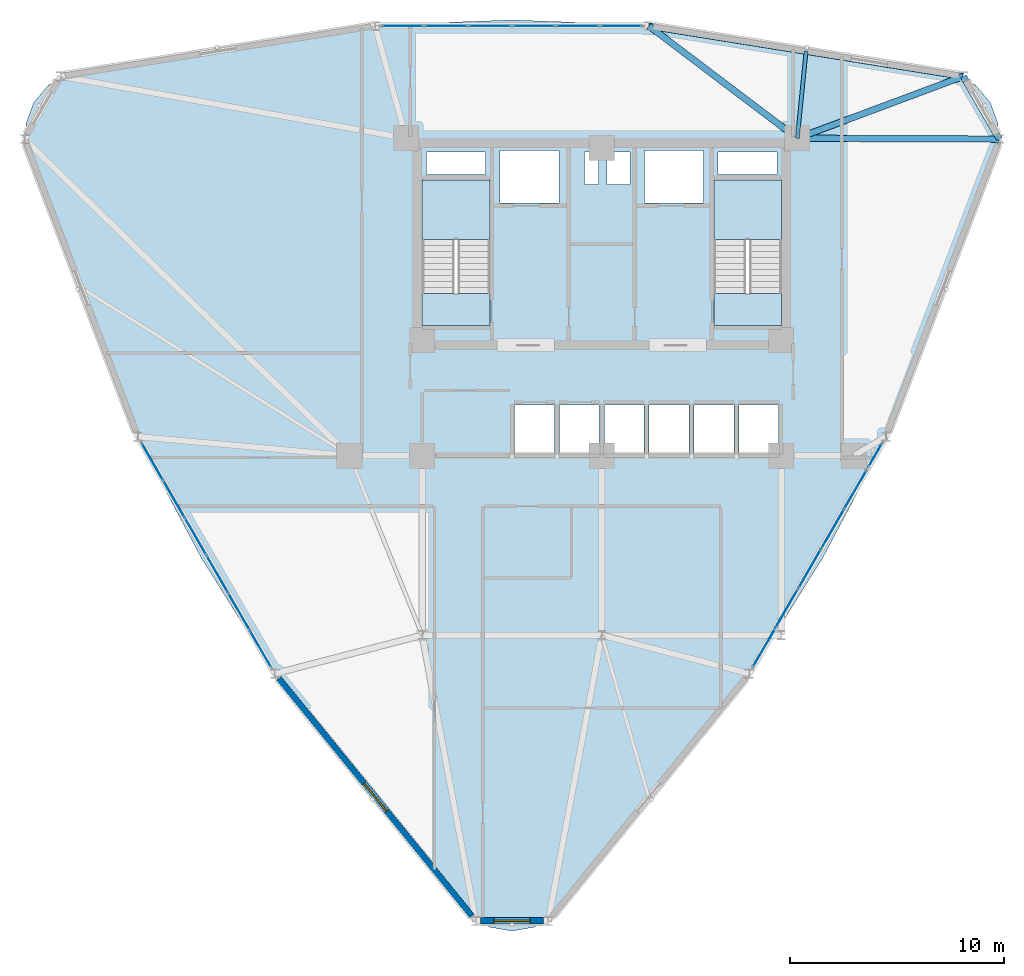
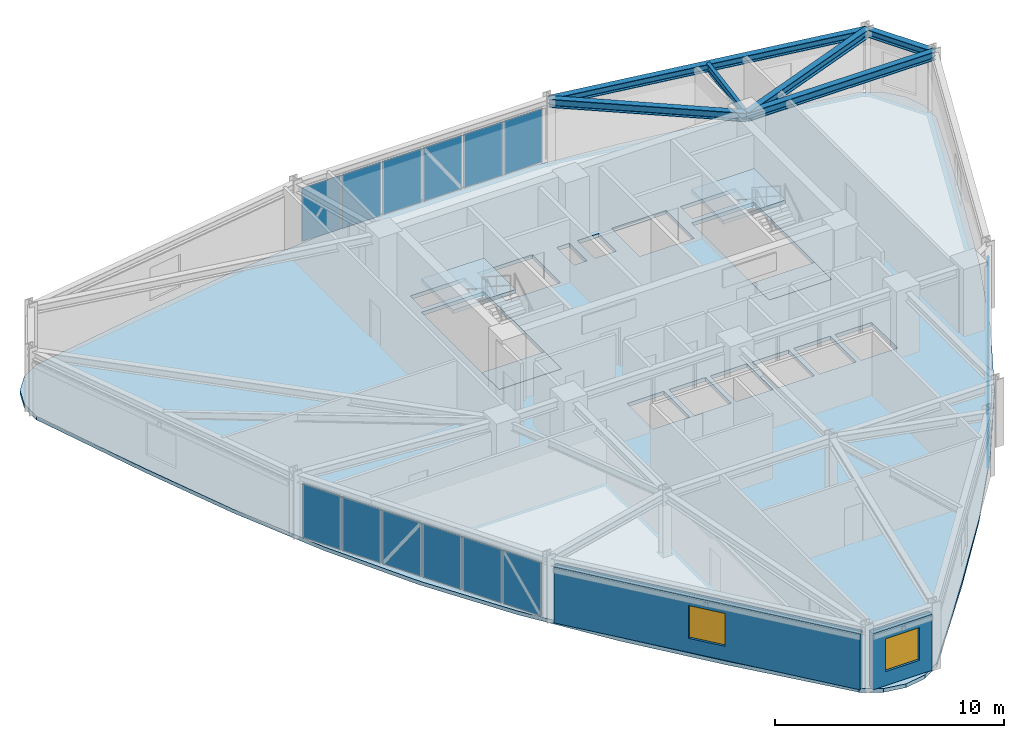
# One storey, part 9 of 15: 18 plates, 6 beams, 5 slabs, 2 walls, 2 windows, 2 openings, 6 elements without a shape of their own.
"""IFC4 building model written with IfcOpenShell, lengths in metres."""

from ifc_helpers import new_model, si_unit, derived_unit, direction, frame, frame_2d, origin, origin_2d, place, context, subcontext, project, spatial, polyline, rectangle, i_section, outline, extrude, source, transform, mapped, material, layer, layer_set, material_profile, profile_set, type_object, element, fill, aggregate, save


model = new_model("IFC4")

# Units and contexts
model_context = context("Model", 3, precision=1e-05, world=origin(), true_north=direction((0.0, 1.0)))
body_context = subcontext(model_context, "Body", "Model", "MODEL_VIEW")
ifc_project = project(units=[si_unit("LENGTHUNIT", "METRE"), si_unit("AREAUNIT", "SQUARE_METRE"), si_unit("VOLUMEUNIT", "CUBIC_METRE"), si_unit("PLANEANGLEUNIT", "RADIAN"), si_unit("MASSUNIT", "GRAM", prefix="KILO"), derived_unit("THERMALTRANSMITTANCEUNIT", [(si_unit("POWERUNIT", "WATT"), 1), (si_unit("LENGTHUNIT", "METRE"), -2), (si_unit("THERMODYNAMICTEMPERATUREUNIT", "KELVIN"), -1)])], contexts=[model_context])

# Site, building, storey
site_placement = place(None, origin())
site = spatial("IfcSite", under=ifc_project, at=site_placement, CompositionType="ELEMENT")
building_placement = place(site_placement, origin())
building = spatial("IfcBuilding", under=site, at=building_placement, Name="Korsvarv Bourse and Concert Hall", CompositionType="ELEMENT")
storey_placement = place(building_placement, frame((0.0, 0.0, 157.800048828125)))
storey = spatial("IfcBuildingStorey", under=building, at=storey_placement, Name="L40", CompositionType="ELEMENT", Elevation=157.800048828125)

# Beams
ifc_material_1 = material(Name="Steel S355", Category="steel")
ifc_material_profile_1 = material_profile(ifc_material_1, i_section(OverallWidth=0.300048828125, OverallDepth=0.39990234375, WebThickness=0.013427734375, FlangeThickness=0.02392578125, FilletRadius=0.02099609375, at=origin_2d()), Name="HEB 400")
ifc_profile_set_1 = profile_set([ifc_material_profile_1], Name="Steel S355")
beam_type_1 = type_object("IfcBeamType", Name="BM-HEB400", PredefinedType="SPANDREL", material=ifc_profile_set_1)
shared_shape_1 = source(origin(), body_context, "Body", "SweptSolid", [
    extrude(i_section(OverallWidth=0.300048828125, OverallDepth=0.39990234375, WebThickness=0.013427734375, FlangeThickness=0.02392578125, FilletRadius=0.02099609375, at=origin_2d()), origin(), (0.0, 0.0, 1.0), 3.391357421875),
])
beam_1_placement = place(storey_placement, frame((54.6142578125, 47.2138671875, 3.199951171875), z_axis=(-0.499971721724, 0.866041729639, 0.0), x_axis=(-0.866041729639, -0.499971721724, 0.0)))
element("IfcBeam", 1, at=beam_1_placement, inside=storey, type_object=beam_type_1, Name="L40 beam B-09", PredefinedType="SPANDREL", context=body_context, shape_type="MappedRepresentation", body=[
    mapped(shared_shape_1, transform((0.0, 0.0, 0.0), scale=1.0)),
])
shared_shape_2 = source(origin(), body_context, "Body", "SweptSolid", [
    extrude(i_section(OverallWidth=0.300048828125, OverallDepth=0.39990234375, WebThickness=0.013427734375, FlangeThickness=0.02392578125, FilletRadius=0.02099609375, at=origin_2d()), origin(), (0.0, 0.0, 1.0), 14.90478515625),
])
beam_2_placement = place(storey_placement, frame((52.918701171875, 50.15087890625, 3.199951171875), z_axis=(-0.987420487458, 0.158116352567, 0.0), x_axis=(-0.158116352567, -0.987420487458, 0.0)))
element("IfcBeam", 2, at=beam_2_placement, inside=storey, type_object=beam_type_1, Name="L40 beam B-09", PredefinedType="SPANDREL", context=body_context, shape_type="MappedRepresentation", body=[
    mapped(shared_shape_2, transform((0.0, 0.0, 0.0), scale=1.0)),
])
ifc_material_profile_2 = material_profile(ifc_material_1, i_section(OverallWidth=0.300048828125, OverallDepth=0.449951171875, WebThickness=0.013916015625, FlangeThickness=0.02587890625, FilletRadius=0.02099609375, at=origin_2d()), Name="HEB 450")
ifc_profile_set_2 = profile_set([ifc_material_profile_2], Name="Steel S355")
beam_type_2 = type_object("IfcBeamType", Name="BM-HEB450", PredefinedType="SPANDREL", material=ifc_profile_set_2)
shared_shape_3 = source(origin(), body_context, "Body", "SweptSolid", [
    extrude(i_section(OverallWidth=0.300048828125, OverallDepth=0.449951171875, WebThickness=0.013916015625, FlangeThickness=0.02587890625, FilletRadius=0.02099609375, at=origin_2d()), origin(), (0.0, 0.0, 1.0), 9.46435546875),
])
beam_3_placement = place(storey_placement, frame((54.6142578125, 47.2138671875, 3.175048828125), z_axis=(-0.999992712363, 0.003817750643, 0.0), x_axis=(-0.003817750643, -0.999992712363, 0.0)))
element("IfcBeam", 3, at=beam_3_placement, inside=storey, type_object=beam_type_2, Name="L40 beam B-08", PredefinedType="SPANDREL", context=body_context, shape_type="MappedRepresentation", body=[
    mapped(shared_shape_3, transform((0.0, 0.0, 0.0), scale=1.0)),
])
shared_shape_4 = source(origin(), body_context, "Body", "SweptSolid", [
    extrude(i_section(OverallWidth=0.300048828125, OverallDepth=0.449951171875, WebThickness=0.013916015625, FlangeThickness=0.02587890625, FilletRadius=0.02099609375, at=origin_2d()), origin(), (0.0, 0.0, 1.0), 8.292724609375),
])
beam_4_placement = place(storey_placement, frame((52.918701171875, 50.15087890625, 3.175048828125), z_axis=(-0.936820676534, -0.349809977014, 0.0), x_axis=(0.349809977014, -0.936820676534, 0.0)))
element("IfcBeam", 4, at=beam_4_placement, inside=storey, type_object=beam_type_2, Name="L40 beam B-08", PredefinedType="SPANDREL", context=body_context, shape_type="MappedRepresentation", body=[
    mapped(shared_shape_4, transform((0.0, 0.0, 0.0), scale=1.0)),
])
shared_shape_5 = source(origin(), body_context, "Body", "SweptSolid", [
    extrude(i_section(OverallWidth=0.300048828125, OverallDepth=0.449951171875, WebThickness=0.013916015625, FlangeThickness=0.02587890625, FilletRadius=0.02099609375, at=origin_2d()), origin(), (0.0, 0.0, 1.0), 8.71337890625),
])
beam_5_placement = place(storey_placement, frame((38.201416015625, 52.507568359375, 3.175048828125), z_axis=(0.797447559771, -0.603388257604, 0.0), x_axis=(0.603388257604, 0.797447559771, 0.0)))
element("IfcBeam", 5, at=beam_5_placement, inside=storey, type_object=beam_type_2, Name="L40 beam B-08", PredefinedType="SPANDREL", context=body_context, shape_type="MappedRepresentation", body=[
    mapped(shared_shape_5, transform((0.0, 0.0, 0.0), scale=1.0)),
])
ifc_material_profile_3 = material_profile(ifc_material_1, i_section(OverallWidth=0.179931640625, OverallDepth=0.39990234375, WebThickness=0.008544921875, FlangeThickness=0.013427734375, FilletRadius=0.02099609375, at=origin_2d()), Name="IPE 400")
ifc_profile_set_3 = profile_set([ifc_material_profile_3], Name="Steel S355")
beam_type_3 = type_object("IfcBeamType", Name="BM-IPE400", PredefinedType="JOIST", material=ifc_profile_set_3)
shared_shape_6 = source(origin(), body_context, "Body", "SweptSolid", [
    extrude(i_section(OverallWidth=0.179931640625, OverallDepth=0.39990234375, WebThickness=0.008544921875, FlangeThickness=0.013427734375, FilletRadius=0.02099609375, at=origin_2d()), origin(), (0.0, 0.0, 1.0), 4.099609375),
])
beam_6_placement = place(storey_placement, frame((45.56005859375, 51.3291015625, 3.199951171875), z_axis=(-0.100046151544, -0.994982797621, 0.0), x_axis=(0.994982797621, -0.100046151544, 0.0)))
element("IfcBeam", 6, at=beam_6_placement, inside=storey, type_object=beam_type_3, Name="L40 beam J-05", PredefinedType="JOIST", context=body_context, shape_type="MappedRepresentation", body=[
    mapped(shared_shape_6, transform((0.0, 0.0, 0.0), scale=1.0)),
])

# Slabs
ifc_material_2 = material(Name="Precast concrete C45/55", Category="concrete")
ifc_layer_1 = layer(ifc_material_2, 0.199951171875)
ifc_layer_set_1 = layer_set([ifc_layer_1], Name="Precast concrete C45/55")
slab_type_1 = type_object("IfcSlabType", Name="SLB-FLND-T", PredefinedType="LANDING", material=ifc_layer_set_1)
slab_1_placement = place(storey_placement, frame((0.0, 0.0, -0.199951171875)))
element("IfcSlab", 7, at=slab_1_placement, inside=storey, type_object=slab_type_1, Name="L40 Stair ST-T1 Floor Landing Slab", PredefinedType="LANDING", context=body_context, shape_type="SweptSolid", body=[
    extrude(outline(polyline([(30.760009765625, 38.5), (30.760009765625, 40.0), (27.60009765625, 40.0), (27.60009765625, 38.5), (30.760009765625, 38.5)])), origin(), (0.0, 0.0, 1.0), 0.199951171875),
])
slab_2_placement = place(storey_placement, frame((0.0, 0.0, -0.199951171875)))
element("IfcSlab", 8, at=slab_2_placement, inside=storey, type_object=slab_type_1, Name="L40 Stair ST-T2 Floor Landing Slab", PredefinedType="LANDING", context=body_context, shape_type="SweptSolid", body=[
    extrude(outline(polyline([(44.39990234375, 38.5), (44.39990234375, 40.0), (41.239990234375, 40.0), (41.239990234375, 38.5), (44.39990234375, 38.5)])), origin(), (0.0, 0.0, 1.0), 0.199951171875),
])

# Stair, slab
stair_type = type_object("IfcStairType", Name="STR-TYPE-04", PredefinedType="HALF_TURN_STAIR", material=ifc_material_2)
stair_1_placement = place(storey_placement, origin())
stair_1 = element("IfcStair", 9, at=stair_1_placement, inside=storey, type_object=stair_type, Name="L40 Tower West Exit Stair ST-T1", PredefinedType="HALF_TURN_STAIR")
ifc_layer_2 = layer(ifc_material_2, 0.199951171875)
ifc_layer_set_2 = layer_set([ifc_layer_2], Name="Precast concrete C45/55")
slab_type_2 = type_object("IfcSlabType", Name="SLB-ST-LND", PredefinedType="LANDING", material=ifc_layer_set_2)
slab_3_placement = place(storey_placement, frame((0.0, 0.0, 1.599853515625)))
slab_3 = element("IfcSlab", 10, at=slab_3_placement, type_object=slab_type_2, Name="ST-T1 landing 1", PredefinedType="LANDING", context=body_context, shape_type="SweptSolid", body=[
    extrude(outline(polyline([(30.760009765625, 42.52001953125), (30.760009765625, 45.300048828125), (27.60009765625, 45.300048828125), (27.60009765625, 42.52001953125), (30.760009765625, 42.52001953125)])), origin(), (0.0, 0.0, 1.0), 0.2001953125),
])
aggregate(stair_1, [slab_3])

stair_2_placement = place(storey_placement, origin())
stair_2 = element("IfcStair", 11, at=stair_2_placement, inside=storey, type_object=stair_type, Name="L40 Tower East Exit Stair ST-T2", PredefinedType="HALF_TURN_STAIR")
slab_4_placement = place(storey_placement, frame((0.0, 0.0, 1.599853515625)))
slab_4 = element("IfcSlab", 12, at=slab_4_placement, type_object=slab_type_2, Name="ST-T2 landing 1", PredefinedType="LANDING", context=body_context, shape_type="SweptSolid", body=[
    extrude(outline(polyline([(44.39990234375, 42.52001953125), (44.39990234375, 45.300048828125), (41.239990234375, 45.300048828125), (41.239990234375, 42.52001953125), (44.39990234375, 42.52001953125)])), origin(), (0.0, 0.0, 1.0), 0.2001953125),
])
aggregate(stair_2, [slab_4])

# Slab
ifc_material_3 = material(Name="Concrete C45/55", Category="concrete")
ifc_layer_3 = layer(ifc_material_3, 0.199951171875)
ifc_layer_set_3 = layer_set([ifc_layer_3], Name="Concrete C45/55")
slab_type_3 = type_object("IfcSlabType", Name="SLB-TW2", PredefinedType="FLOOR", material=ifc_layer_set_3)
slab_5_placement = place(storey_placement, frame((0.0, 0.0, -0.199951171875)))
element("IfcSlab", 13, at=slab_5_placement, inside=storey, type_object=slab_type_3, Name="L40 tower structural floor slab", PredefinedType="FLOOR", context=body_context, shape_type="SweptSolid", body=[
    extrude(outline(polyline([(54.127197265625, 45.72216796875), (52.434326171875, 41.0146484375), (50.63232421875, 36.395263671875), (48.622314453125, 31.916015625), (46.336669921875, 27.607421875), (43.748046875, 23.473388671875), (40.8740234375, 19.4931640625), (37.7744140625, 15.622802734375), (34.544189453125, 11.802978515625), (34.5419921875, 11.80029296875), (33.760986328125, 10.869873046875), (32.843505859375, 10.340087890625), (31.800048828125, 10.156005859375), (30.756591796875, 10.340087890625), (29.839111328125, 10.869873046875), (29.05810546875, 11.80029296875), (29.055908203125, 11.802978515625), (25.82568359375, 15.622802734375), (22.72607421875, 19.4931640625), (19.851806640625, 23.473388671875), (17.263427734375, 27.607421875), (14.977783203125, 31.916015625), (12.967529296875, 36.395263671875), (11.16552734375, 41.0146484375), (9.47265625, 45.72216796875), (9.471435546875, 45.725341796875), (9.05615234375, 46.86669921875), (9.05615234375, 47.92626953125), (9.41845703125, 48.921875), (10.099609375, 49.733642578125), (11.01708984375, 50.263427734375), (12.21337890625, 50.474365234375), (12.216796875, 50.474853515625), (17.139892578125, 51.362548828125), (22.04150390625, 52.11181640625), (26.925537109375, 52.610595703125), (31.800048828125, 52.785400390625), (36.67431640625, 52.610595703125), (41.558349609375, 52.11181640625), (46.4599609375, 51.362548828125), (51.38330078125, 50.474853515625), (51.38671875, 50.474365234375), (52.5830078125, 50.263427734375), (53.50048828125, 49.733642578125), (54.181396484375, 48.921875), (54.5439453125, 47.92626953125), (54.5439453125, 46.86669921875), (54.12841796875, 45.725341796875), (54.127197265625, 45.72216796875)]), holes=[polyline([(30.760009765625, 38.5), (30.760009765625, 45.300048828125), (27.60009765625, 45.300048828125), (27.60009765625, 38.5), (30.760009765625, 38.5)]), polyline([(44.39990234375, 38.5), (44.39990234375, 45.300048828125), (41.239990234375, 45.300048828125), (41.239990234375, 38.5), (44.39990234375, 38.5)]), polyline([(31.239990234375, 44.219970703125), (34.0, 44.219970703125), (34.0, 46.679931640625), (31.239990234375, 46.679931640625), (31.239990234375, 44.219970703125)]), polyline([(38.0, 44.219970703125), (40.760009765625, 44.219970703125), (40.760009765625, 46.679931640625), (38.0, 46.679931640625), (38.0, 44.219970703125)]), polyline([(31.919921875, 32.52001953125), (33.780029296875, 32.52001953125), (33.780029296875, 34.780029296875), (31.919921875, 34.780029296875), (31.919921875, 32.52001953125)]), polyline([(34.02001953125, 32.52001953125), (35.8798828125, 32.52001953125), (35.8798828125, 34.780029296875), (34.02001953125, 34.780029296875), (34.02001953125, 32.52001953125)]), polyline([(36.1201171875, 32.52001953125), (37.97998046875, 32.52001953125), (37.97998046875, 34.780029296875), (36.1201171875, 34.780029296875), (36.1201171875, 32.52001953125)]), polyline([(38.219970703125, 32.52001953125), (40.080078125, 32.52001953125), (40.080078125, 34.780029296875), (38.219970703125, 34.780029296875), (38.219970703125, 32.52001953125)]), polyline([(40.320068359375, 32.52001953125), (42.179931640625, 32.52001953125), (42.179931640625, 34.780029296875), (40.320068359375, 34.780029296875), (40.320068359375, 32.52001953125)]), polyline([(42.419921875, 32.52001953125), (44.280029296875, 32.52001953125), (44.280029296875, 34.780029296875), (42.419921875, 34.780029296875), (42.419921875, 32.52001953125)]), polyline([(27.800048828125, 45.56005859375), (30.56005859375, 45.56005859375), (30.56005859375, 46.6201171875), (27.800048828125, 46.6201171875), (27.800048828125, 45.56005859375)]), polyline([(41.43994140625, 45.56005859375), (44.199951171875, 45.56005859375), (44.199951171875, 46.6201171875), (41.43994140625, 46.6201171875), (41.43994140625, 45.56005859375)]), polyline([(35.199951171875, 45.080078125), (35.840087890625, 45.080078125), (35.840087890625, 46.6201171875), (35.199951171875, 46.6201171875), (35.199951171875, 45.080078125)]), polyline([(36.239990234375, 45.080078125), (37.320068359375, 45.080078125), (37.320068359375, 46.6201171875), (36.239990234375, 46.6201171875), (36.239990234375, 45.080078125)])]), origin(), (0.0, 0.0, 1.0), 0.199951171875),
])

# Curtain wall, plates
ifc_material_4 = material(Name="Anodised aluminium and triple low-E glazing", Category="glass")
ifc_layer_4 = layer(ifc_material_4, 0.2099609375)
ifc_layer_set_4 = layer_set([ifc_layer_4], Name="Anodised aluminium and triple low-E glazing")
curtain_wall_type = type_object("IfcCurtainWallType", Name="CW-SYS-2", PredefinedType="NOTDEFINED", material=ifc_layer_set_4)
curtain_wall_1_placement = place(storey_placement, origin())
curtain_wall_1 = element("IfcCurtainWall", 14, at=curtain_wall_1_placement, inside=storey, type_object=curtain_wall_type, Name="L40 CW2 curtain wall CW-L40-F03", PredefinedType="NOTDEFINED")
ifc_material_5 = material(Name="Tempered triple insulated low-E architectural glass", Category="glass")
ifc_layer_5 = layer(ifc_material_5, 0.0380859375)
ifc_layer_set_5 = layer_set([ifc_layer_5], Name="Tempered triple insulated low-E architectural glass")
plate_type_1 = type_object("IfcPlateType", Name="CWP-VIS2", PredefinedType="CURTAIN_PANEL", material=ifc_layer_set_5)
shared_shape_7 = source(origin(), body_context, "Body", "SweptSolid", [
    extrude(rectangle(XDim=1.943603515625, YDim=0.0380859375, at=origin_2d()), origin(), (0.0, 0.0, 1.0), 2.8701171875),
])
plate_1_placement = place(storey_placement, frame((36.90380859375, 52.507568359375, 0.06494140625), z_axis=(0.0, 0.0, 1.0), x_axis=(-1.0, 0.0, 0.0)))
plate_1 = element("IfcPlate", 15, at=plate_1_placement, type_object=plate_type_1, Name="CW2 faceted panel 1.1", PredefinedType="CURTAIN_PANEL", context=body_context, shape_type="MappedRepresentation", body=[
    mapped(shared_shape_7, transform((0.0, 0.0, 0.0), scale=1.0)),
])
shared_shape_8 = source(origin(), body_context, "Body", "SweptSolid", [
    extrude(rectangle(XDim=1.978515625, YDim=0.0380859375, at=origin_2d()), origin(), (0.0, 0.0, 1.0), 2.8701171875),
])
plate_2_placement = place(storey_placement, frame((34.872802734375, 52.507568359375, 0.06494140625), z_axis=(0.0, 0.0, 1.0), x_axis=(-1.0, 0.0, 0.0)))
plate_2 = element("IfcPlate", 16, at=plate_2_placement, type_object=plate_type_1, Name="CW2 faceted panel 2.1", PredefinedType="CURTAIN_PANEL", context=body_context, shape_type="MappedRepresentation", body=[
    mapped(shared_shape_8, transform((0.0, 0.0, 0.0), scale=1.0)),
])
plate_3_placement = place(storey_placement, frame((30.775634765625, 52.507568359375, 0.06494140625), z_axis=(0.0, 0.0, 1.0), x_axis=(-1.0, 0.0, 0.0)))
plate_3 = element("IfcPlate", 17, at=plate_3_placement, type_object=plate_type_1, Name="CW2 faceted panel 4.1", PredefinedType="CURTAIN_PANEL", context=body_context, shape_type="MappedRepresentation", body=[
    mapped(shared_shape_8, transform((0.0, 0.0, 0.0), scale=1.0)),
])
plate_4_placement = place(storey_placement, frame((28.727294921875, 52.507568359375, 0.06494140625), z_axis=(0.0, 0.0, 1.0), x_axis=(-1.0, 0.0, 0.0)))
plate_4 = element("IfcPlate", 18, at=plate_4_placement, type_object=plate_type_1, Name="CW2 faceted panel 5.1", PredefinedType="CURTAIN_PANEL", context=body_context, shape_type="MappedRepresentation", body=[
    mapped(shared_shape_8, transform((0.0, 0.0, 0.0), scale=1.0)),
])
ifc_material_6 = material(Name="Insulated spandrel glass", Category="glass")
ifc_layer_6 = layer(ifc_material_6, 0.031982421875)
ifc_layer_set_6 = layer_set([ifc_layer_6], Name="Insulated spandrel glass")
plate_type_2 = type_object("IfcPlateType", Name="CWP-SPD1", PredefinedType="CURTAIN_PANEL", material=ifc_layer_set_6)
shared_shape_9 = source(origin(), body_context, "Body", "SweptSolid", [
    extrude(rectangle(XDim=1.978515625, YDim=0.031982421875, at=origin_2d()), origin(), (0.0, 0.0, 1.0), 2.8701171875),
])
plate_5_placement = place(storey_placement, frame((32.82421875, 52.507568359375, 0.06494140625), z_axis=(0.0, 0.0, 1.0), x_axis=(-1.0, 0.0, 0.0)))
plate_5 = element("IfcPlate", 19, at=plate_5_placement, type_object=plate_type_2, Name="CW2 spandrel shadow-box panel 3.1", PredefinedType="CURTAIN_PANEL", context=body_context, shape_type="MappedRepresentation", body=[
    mapped(shared_shape_9, transform((0.0, 0.0, 0.0), scale=1.0)),
])
shared_shape_10 = source(origin(), body_context, "Body", "SweptSolid", [
    extrude(rectangle(XDim=1.943603515625, YDim=0.031982421875, at=origin_2d()), origin(), (0.0, 0.0, 1.0), 2.8701171875),
])
plate_6_placement = place(storey_placement, frame((26.6962890625, 52.507568359375, 0.06494140625), z_axis=(0.0, 0.0, 1.0), x_axis=(-1.0, 0.0, 0.0)))
plate_6 = element("IfcPlate", 20, at=plate_6_placement, type_object=plate_type_2, Name="CW2 spandrel shadow-box panel 6.1", PredefinedType="CURTAIN_PANEL", context=body_context, shape_type="MappedRepresentation", body=[
    mapped(shared_shape_10, transform((0.0, 0.0, 0.0), scale=1.0)),
])
aggregate(curtain_wall_1, [plate_1, plate_2, plate_5, plate_3, plate_4, plate_6])

curtain_wall_2_placement = place(storey_placement, origin())
curtain_wall_2 = element("IfcCurtainWall", 21, at=curtain_wall_2_placement, inside=storey, type_object=curtain_wall_type, Name="L40 CW2 curtain wall CW-L40-F07", PredefinedType="NOTDEFINED")
shared_shape_11 = source(origin(), body_context, "Body", "SweptSolid", [
    extrude(rectangle(XDim=1.92578125, YDim=0.0380859375, at=origin_2d()), origin(), (0.0, 0.0, 1.0), 2.8701171875),
])
plate_7_placement = place(storey_placement, frame((14.97412109375, 32.1279296875, 0.06494140625), z_axis=(0.0, 0.0, 1.0), x_axis=(0.500002343759, -0.86602405061, 0.0)))
plate_7 = element("IfcPlate", 22, at=plate_7_placement, type_object=plate_type_1, Name="CW2 faceted panel 1.1", PredefinedType="CURTAIN_PANEL", context=body_context, shape_type="MappedRepresentation", body=[
    mapped(shared_shape_11, transform((0.0, 0.0, 0.0), scale=1.0)),
])
shared_shape_12 = source(origin(), body_context, "Body", "SweptSolid", [
    extrude(rectangle(XDim=1.9609375, YDim=0.0380859375, at=origin_2d()), origin(), (0.0, 0.0, 1.0), 2.8701171875),
])
plate_8_placement = place(storey_placement, frame((15.98095703125, 30.384521484375, 0.06494140625), z_axis=(0.0, 0.0, 1.0), x_axis=(0.500002343759, -0.86602405061, 0.0)))
plate_8 = element("IfcPlate", 23, at=plate_8_placement, type_object=plate_type_1, Name="CW2 faceted panel 2.1", PredefinedType="CURTAIN_PANEL", context=body_context, shape_type="MappedRepresentation", body=[
    mapped(shared_shape_12, transform((0.0, 0.0, 0.0), scale=1.0)),
])
plate_9_placement = place(storey_placement, frame((18.01171875, 26.86669921875, 0.06494140625), z_axis=(0.0, 0.0, 1.0), x_axis=(0.500002343759, -0.86602405061, 0.0)))
plate_9 = element("IfcPlate", 24, at=plate_9_placement, type_object=plate_type_1, Name="CW2 faceted panel 4.1", PredefinedType="CURTAIN_PANEL", context=body_context, shape_type="MappedRepresentation", body=[
    mapped(shared_shape_12, transform((0.0, 0.0, 0.0), scale=1.0)),
])
plate_10_placement = place(storey_placement, frame((19.02734375, 25.10791015625, 0.06494140625), z_axis=(0.0, 0.0, 1.0), x_axis=(0.500002343759, -0.86602405061, 0.0)))
plate_10 = element("IfcPlate", 25, at=plate_10_placement, type_object=plate_type_1, Name="CW2 faceted panel 5.1", PredefinedType="CURTAIN_PANEL", context=body_context, shape_type="MappedRepresentation", body=[
    mapped(shared_shape_12, transform((0.0, 0.0, 0.0), scale=1.0)),
])
shared_shape_13 = source(origin(), body_context, "Body", "SweptSolid", [
    extrude(rectangle(XDim=1.9609375, YDim=0.031982421875, at=origin_2d()), origin(), (0.0, 0.0, 1.0), 2.8701171875),
])
plate_11_placement = place(storey_placement, frame((16.996337890625, 28.62548828125, 0.06494140625), z_axis=(0.0, 0.0, 1.0), x_axis=(0.500002343759, -0.86602405061, 0.0)))
plate_11 = element("IfcPlate", 26, at=plate_11_placement, type_object=plate_type_2, Name="CW2 spandrel shadow-box panel 3.1", PredefinedType="CURTAIN_PANEL", context=body_context, shape_type="MappedRepresentation", body=[
    mapped(shared_shape_13, transform((0.0, 0.0, 0.0), scale=1.0)),
])
shared_shape_14 = source(origin(), body_context, "Body", "SweptSolid", [
    extrude(rectangle(XDim=1.92578125, YDim=0.031982421875, at=origin_2d()), origin(), (0.0, 0.0, 1.0), 2.8701171875),
])
plate_12_placement = place(storey_placement, frame((20.033935546875, 23.3642578125, 0.06494140625), z_axis=(0.0, 0.0, 1.0), x_axis=(0.500002343759, -0.86602405061, 0.0)))
plate_12 = element("IfcPlate", 27, at=plate_12_placement, type_object=plate_type_2, Name="CW2 spandrel shadow-box panel 6.1", PredefinedType="CURTAIN_PANEL", context=body_context, shape_type="MappedRepresentation", body=[
    mapped(shared_shape_14, transform((0.0, 0.0, 0.0), scale=1.0)),
])
aggregate(curtain_wall_2, [plate_7, plate_8, plate_11, plate_9, plate_10, plate_12])

curtain_wall_3_placement = place(storey_placement, origin())
curtain_wall_3 = element("IfcCurtainWall", 28, at=curtain_wall_3_placement, inside=storey, type_object=curtain_wall_type, Name="L40 CW2 curtain wall CW-L40-F11-1", PredefinedType="NOTDEFINED")
shared_shape_15 = source(origin(), body_context, "Body", "SweptSolid", [
    extrude(rectangle(XDim=2.0380859375, YDim=0.0380859375, at=origin_2d()), origin(), (0.0, 0.0, 1.0), 2.8701171875),
])
plate_13_placement = place(storey_placement, frame((43.59423828125, 23.4130859375, 0.06494140625), z_axis=(0.0, 0.0, 1.0), x_axis=(0.499998182496, 0.866026453118, 0.0)))
plate_13 = element("IfcPlate", 29, at=plate_13_placement, type_object=plate_type_1, Name="CW2 faceted panel 1.1", PredefinedType="CURTAIN_PANEL", context=body_context, shape_type="MappedRepresentation", body=[
    mapped(shared_shape_15, transform((0.0, 0.0, 0.0), scale=1.0)),
])
plate_14_placement = place(storey_placement, frame((47.863037109375, 30.806884765625, 0.06494140625), z_axis=(0.0, 0.0, 1.0), x_axis=(0.499998182496, 0.866026453118, 0.0)))
plate_14 = element("IfcPlate", 30, at=plate_14_placement, type_object=plate_type_1, Name="CW2 faceted panel 5.1", PredefinedType="CURTAIN_PANEL", context=body_context, shape_type="MappedRepresentation", body=[
    mapped(shared_shape_15, transform((0.0, 0.0, 0.0), scale=1.0)),
])
shared_shape_16 = source(origin(), body_context, "Body", "SweptSolid", [
    extrude(rectangle(XDim=2.0732421875, YDim=0.0380859375, at=origin_2d()), origin(), (0.0, 0.0, 1.0), 2.8701171875),
])
plate_15_placement = place(storey_placement, frame((44.656982421875, 25.25390625, 0.06494140625), z_axis=(0.0, 0.0, 1.0), x_axis=(0.499998182496, 0.866026453118, 0.0)))
plate_15 = element("IfcPlate", 31, at=plate_15_placement, type_object=plate_type_1, Name="CW2 faceted panel 2.1", PredefinedType="CURTAIN_PANEL", context=body_context, shape_type="MappedRepresentation", body=[
    mapped(shared_shape_16, transform((0.0, 0.0, 0.0), scale=1.0)),
])
plate_16_placement = place(storey_placement, frame((46.800048828125, 28.9658203125, 0.06494140625), z_axis=(0.0, 0.0, 1.0), x_axis=(0.499998182496, 0.866026453118, 0.0)))
plate_16 = element("IfcPlate", 32, at=plate_16_placement, type_object=plate_type_1, Name="CW2 faceted panel 4.1", PredefinedType="CURTAIN_PANEL", context=body_context, shape_type="MappedRepresentation", body=[
    mapped(shared_shape_16, transform((0.0, 0.0, 0.0), scale=1.0)),
])
shared_shape_17 = source(origin(), body_context, "Body", "SweptSolid", [
    extrude(rectangle(XDim=2.0732421875, YDim=0.031982421875, at=origin_2d()), origin(), (0.0, 0.0, 1.0), 2.8701171875),
])
plate_17_placement = place(storey_placement, frame((45.728515625, 27.10986328125, 0.06494140625), z_axis=(0.0, 0.0, 1.0), x_axis=(0.499998182496, 0.866026453118, 0.0)))
plate_17 = element("IfcPlate", 33, at=plate_17_placement, type_object=plate_type_2, Name="CW2 spandrel shadow-box panel 3.1", PredefinedType="CURTAIN_PANEL", context=body_context, shape_type="MappedRepresentation", body=[
    mapped(shared_shape_17, transform((0.0, 0.0, 0.0), scale=1.0)),
])
aggregate(curtain_wall_3, [plate_13, plate_15, plate_17, plate_16, plate_14])

# Curtain wall, plate
curtain_wall_4_placement = place(storey_placement, origin())
curtain_wall_4 = element("IfcCurtainWall", 34, at=curtain_wall_4_placement, inside=storey, type_object=curtain_wall_type, Name="L40 CW2 curtain wall CW-L40-F11-2", PredefinedType="NOTDEFINED")
shared_shape_18 = source(origin(), body_context, "Body", "SweptSolid", [
    extrude(rectangle(XDim=1.24462890625, YDim=0.031982421875, at=origin_2d()), origin(), (0.0, 0.0, 1.0), 2.8701171875),
])
plate_18_placement = place(storey_placement, frame((48.796142578125, 32.423095703125, 0.06494140625), z_axis=(0.0, 0.0, 1.0), x_axis=(0.500030891693, 0.866007567723, 0.0)))
plate_18 = element("IfcPlate", 35, at=plate_18_placement, type_object=plate_type_2, Name="CW2 spandrel shadow-box panel 1.1", PredefinedType="CURTAIN_PANEL", context=body_context, shape_type="MappedRepresentation", body=[
    mapped(shared_shape_18, transform((0.0, 0.0, 0.0), scale=1.0)),
])
aggregate(curtain_wall_4, [plate_18])

# Wall, opening, window
ifc_material_7 = material(Name="Precast concrete C45/55 with terracotta rainscreen", Category="concrete")
ifc_layer_7 = layer(ifc_material_7, 0.300048828125)
ifc_layer_set_7 = layer_set([ifc_layer_7], Name="Precast concrete C45/55 with terracotta rainscreen")
wall_type_1 = type_object("IfcWallType", Name="WL-EXT-TC1", PredefinedType="SOLIDWALL", material=ifc_layer_set_7)
wall_1_placement = place(storey_placement, frame((30.315185546875, 10.63525390625, 0.0), z_axis=(0.0, 0.0, 1.0), x_axis=(1.0, 0.0, 0.0)))
wall_1 = element("IfcWall", 36, at=wall_1_placement, inside=storey, type_object=wall_type_1, Name="L40 terracotta exterior wall EW-L40-B09", PredefinedType="SOLIDWALL", context=body_context, shape_type="SweptSolid", body=[
    extrude(rectangle(XDim=2.969482421875, YDim=0.300048828125, at=frame_2d((1.48486328125, 0.0))), origin(), (0.0, 0.0, 1.0), 3.0),
])
opening_1_placement = place(wall_1_placement, frame((0.634765625, 0.0, 0.75)))
opening_1 = element("IfcOpeningElement", 37, at=opening_1_placement, cuts=wall_1, Name="Opening W-01", PredefinedType="OPENING", context=body_context, shape_type="SweptSolid", body=[
    extrude(rectangle(XDim=1.699951171875, YDim=1.75, at=frame_2d((0.85009765625, 0.875))), frame((0.0, 0.16015625, 0.0), z_axis=(0.0, -1.0, 0.0), x_axis=(1.0, 0.0, 0.0)), (0.0, 0.0, 1.0), 0.320068359375),
])
ifc_material_8 = material(Name="Thermally broken aluminium frame with triple low-E glass", Category="glass")
window_type = type_object("IfcWindowType", Name="WIN-TW1", PartitioningType="SINGLE_PANEL", PredefinedType="WINDOW", material=ifc_material_8)
window_1_placement = place(opening_1_placement, origin())
window_1 = element("IfcWindow", 38, at=window_1_placement, inside=storey, type_object=window_type, Name="L40 punched facade window W-01", OverallHeight=1.75, OverallWidth=1.699951171875, PartitioningType="SINGLE_PANEL", PredefinedType="WINDOW", context=body_context, shape_type="SweptSolid", body=[
    extrude(rectangle(XDim=1.699951171875, YDim=1.75, at=frame_2d((0.85009765625, 0.875))), frame((0.0, 0.030029296875, 0.0), z_axis=(0.0, -1.0, 0.0), x_axis=(1.0, 0.0, 0.0)), (0.0, 0.0, 1.0), 0.06005859375),
])
fill(opening_1, window_1)

ifc_material_9 = material(Name="Precast concrete C45/55 with fluted terracotta pier", Category="concrete")
ifc_layer_8 = layer(ifc_material_9, 0.280029296875)
ifc_layer_set_8 = layer_set([ifc_layer_8], Name="Precast concrete C45/55 with fluted terracotta pier")
wall_type_2 = type_object("IfcWallType", Name="WL-EXT-TC2", PredefinedType="SOLIDWALL", material=ifc_layer_set_8)
wall_2_placement = place(storey_placement, frame((20.885498046875, 21.979736328125, 0.0), z_axis=(0.0, 0.0, 1.0), x_axis=(0.630659963665, -0.776059282678, 0.0)))
wall_2 = element("IfcWall", 39, at=wall_2_placement, inside=storey, type_object=wall_type_2, Name="L40 terracotta exterior wall EW-L40-B08", PredefinedType="SOLIDWALL", context=body_context, shape_type="SweptSolid", body=[
    extrude(rectangle(XDim=14.3310546875, YDim=0.280029296875, at=frame_2d((7.16552734375, 0.0))), origin(), (0.0, 0.0, 1.0), 3.0),
])
opening_2_placement = place(wall_2_placement, frame((6.315673828125, 0.0, 0.75)))
opening_2 = element("IfcOpeningElement", 40, at=opening_2_placement, cuts=wall_2, Name="Opening W-01", PredefinedType="OPENING", context=body_context, shape_type="SweptSolid", body=[
    extrude(rectangle(XDim=1.699951171875, YDim=1.75, at=frame_2d((0.85009765625, 0.875))), frame((0.0, 0.14990234375, 0.0), z_axis=(0.0, -1.0, 0.0), x_axis=(1.0, 0.0, 0.0)), (0.0, 0.0, 1.0), 0.300048828125),
])
window_2_placement = place(opening_2_placement, origin())
window_2 = element("IfcWindow", 41, at=window_2_placement, inside=storey, type_object=window_type, Name="L40 punched facade window W-01", OverallHeight=1.75, OverallWidth=1.699951171875, PartitioningType="SINGLE_PANEL", PredefinedType="WINDOW", context=body_context, shape_type="SweptSolid", body=[
    extrude(rectangle(XDim=1.699951171875, YDim=1.75, at=frame_2d((0.85009765625, 0.875))), frame((0.0, 0.030029296875, 0.0), z_axis=(0.0, -1.0, 0.0), x_axis=(1.0, 0.0, 0.0)), (0.0, 0.0, 1.0), 0.06005859375),
])
fill(opening_2, window_2)

save(model, "model.ifc")
